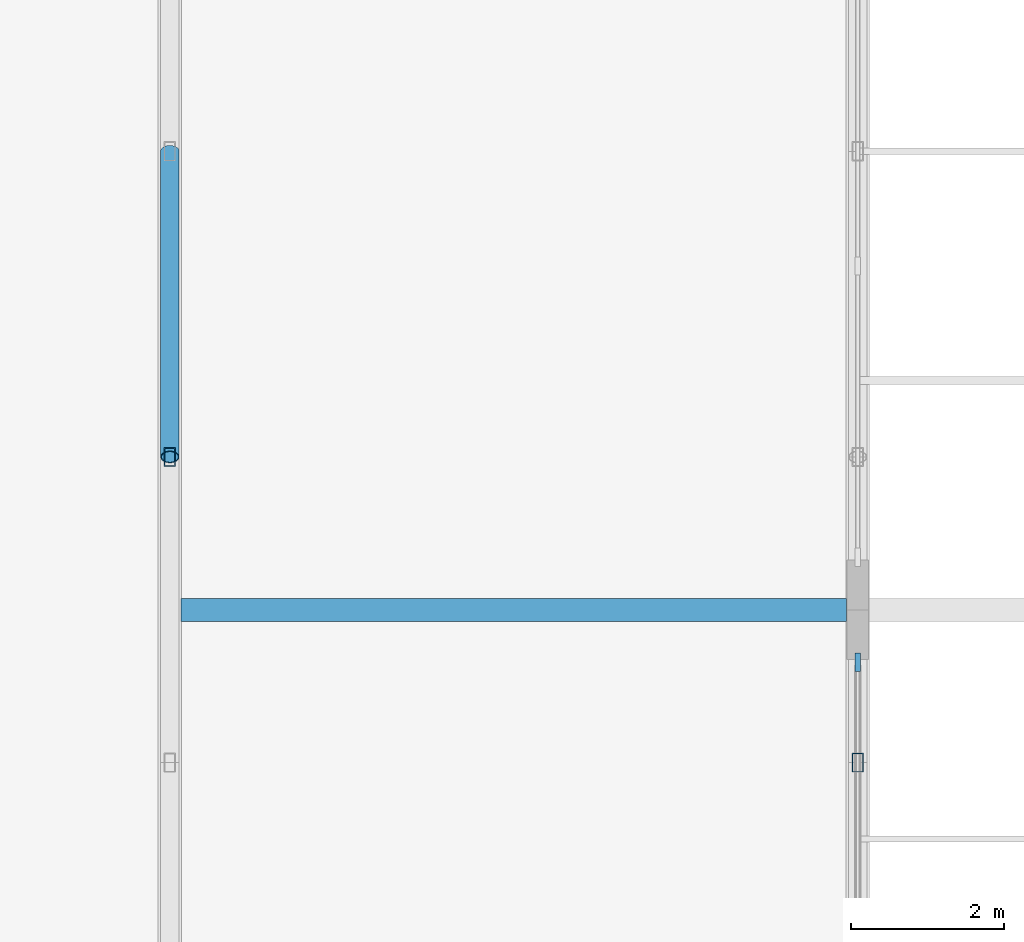
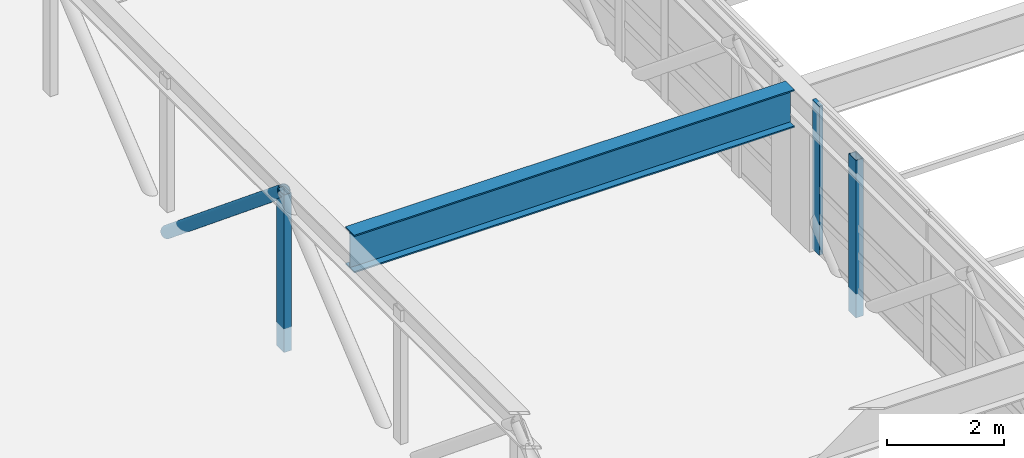
# One storey, part 45 of 91: 4 members, 1 beam, 1 element without a shape of its own.
"""IFC4 building model written with IfcOpenShell, lengths in metres."""

from ifc_helpers import new_model, si_unit, direction, frame, origin, origin_2d, place, context, subcontext, project, spatial, rectangle, hollow_rectangle, hollow_circle, i_section, extrude, material, material_profile, profile_set, type_object, element, aggregate, save


model = new_model("IFC4")

# Units and contexts
model_context = context("Model", 3, precision=1e-05, world=origin(), true_north=direction((0.0, 1.0)))
body_context = subcontext(model_context, "Body", "Model", "MODEL_VIEW")
ifc_project = project(units=[si_unit("LENGTHUNIT", "METRE"), si_unit("AREAUNIT", "SQUARE_METRE"), si_unit("VOLUMEUNIT", "CUBIC_METRE"), si_unit("PLANEANGLEUNIT", "RADIAN"), si_unit("MASSUNIT", "GRAM", prefix="KILO")], contexts=[model_context])

# Site, building, storey
site_placement = place(None, origin())
site = spatial("IfcSite", under=ifc_project, at=site_placement, CompositionType="ELEMENT")
building_placement = place(site_placement, origin())
building = spatial("IfcBuilding", under=site, at=building_placement, Name="Palais des Congres Ocreval", CompositionType="ELEMENT")
storey_placement = place(building_placement, frame((0.0, 0.0, 8.159912109375)))
storey = spatial("IfcBuildingStorey", under=building, at=storey_placement, Name="L02", CompositionType="ELEMENT", Elevation=8.159912109375)

# Curtain wall, member
ifc_material_1 = material(Name="Anodized bronze aluminium and low-E glass", Category="glass")
curtain_wall_type = type_object("IfcCurtainWallType", Name="Unitised Curtain Wall 7900x3120", PredefinedType="USERDEFINED", material=ifc_material_1)
curtain_wall_placement = place(storey_placement, origin())
curtain_wall = element("IfcCurtainWall", 1, at=curtain_wall_placement, inside=storey, type_object=curtain_wall_type, Name="Unitised Curtain Wall CW03 L02", ObjectType="UNITISED CURTAIN WALL", PredefinedType="USERDEFINED")
ifc_material_2 = material(Name="Anodized bronze aluminium", Category="aluminium")
ifc_material_profile_1 = material_profile(ifc_material_2, rectangle(XDim=0.074951171875, YDim=0.239990234375, at=origin_2d()), Name="ALU 75x240")
ifc_profile_set_1 = profile_set([ifc_material_profile_1], Name="Anodized bronze aluminium")
member_type_1 = type_object("IfcMemberType", Name="Curtain Wall Mullion ALU 75x240", PredefinedType="MULLION", material=ifc_profile_set_1)
member_1_placement = place(storey_placement, frame((126.0, 89.3125, 0.0), z_axis=(0.0, 0.0, 1.0), x_axis=(1.0, 0.0, 0.0)))
member_1 = element("IfcMember", 2, at=member_1_placement, type_object=member_type_1, Name="Curtain Wall Mullion ML01", PredefinedType="MULLION", context=body_context, shape_type="SweptSolid", body=[
    extrude(rectangle(XDim=0.074951171875, YDim=0.239990234375, at=origin_2d()), origin(), (0.0, 0.0, 1.0), 3.110107421875),
])
aggregate(curtain_wall, [member_1])

# Member
ifc_material_3 = material(Name="Steel S355", Category="steel")
ifc_material_profile_2 = material_profile(ifc_material_3, hollow_circle(Radius=0.122314453125, WallThickness=0.012451171875, at=origin_2d()), Name="CHS 244.5x12.5")
ifc_profile_set_2 = profile_set([ifc_material_profile_2], Name="Steel S355")
member_type_2 = type_object("IfcMemberType", Name="Diagonal Brace CHS 244.5x12.5 Steel S355", PredefinedType="BRACE", material=ifc_profile_set_2)
member_2_placement = place(storey_placement, frame((117.0, 92.0, 2.7900390625), z_axis=(0.0, 0.772316531173, -0.635237889044), x_axis=(-1.0, 0.0, 0.0)))
element("IfcMember", 3, at=member_2_placement, inside=storey, type_object=member_type_2, Name="Transfer Truss Web Diagonal V2-117-6", PredefinedType="BRACE", context=body_context, shape_type="SweptSolid", body=[
    extrude(hollow_circle(Radius=0.122314453125, WallThickness=0.012451171875, at=origin_2d()), origin(), (0.0, 0.0, 1.0), 5.17919921875),
])

# Beam
ifc_material_profile_3 = material_profile(ifc_material_3, i_section(OverallWidth=0.300048828125, OverallDepth=0.7900390625, WebThickness=0.014892578125, FlangeThickness=0.028076171875, at=origin_2d()), Name="HEA 800")
ifc_profile_set_3 = profile_set([ifc_material_profile_3], Name="Steel S355")
beam_type = type_object("IfcBeamType", Name="Long-Span Girder HEA 800 Steel S355", PredefinedType="BEAM", material=ifc_profile_set_3)
beam_placement = place(storey_placement, frame((117.14794921875, 90.0, 2.710205078125), z_axis=(1.0, 0.0, 0.0), x_axis=(0.0, 1.0, 0.0)))
element("IfcBeam", 4, at=beam_placement, inside=storey, type_object=beam_type, Name="Ballroom Truss Tie Girder B15", PredefinedType="BEAM", context=body_context, shape_type="SweptSolid", body=[
    extrude(i_section(OverallWidth=0.300048828125, OverallDepth=0.7900390625, WebThickness=0.014892578125, FlangeThickness=0.028076171875, at=origin_2d()), origin(), (0.0, 0.0, 1.0), 8.7041015625),
])

# Members
ifc_material_profile_4 = material_profile(ifc_material_3, hollow_rectangle(XDim=0.14990234375, YDim=0.25, WallThickness=0.012451171875, at=origin_2d()), Name="RHS 250x150x12.5")
ifc_profile_set_4 = profile_set([ifc_material_profile_4], Name="Steel S355")
member_type_3 = type_object("IfcMemberType", Name="Truss Strut RHS 250x150x12.5 Steel S355", PredefinedType="STRUT", material=ifc_profile_set_4)
for number, where, z_axis, x_axis, name in (
    (5, (117.0, 92.0, -0.5), (0.0, 0.0, 1.0), (1.0, 0.0, 0.0), "Transfer Truss Vertical Post V2-117-5"),
    (6, (126.0, 88.0, -0.5), (0.0, 0.0, 1.0), (1.0, 0.0, 0.0), "Transfer Truss Vertical Post V2-126-4"),
):
    element("IfcMember", number, at=place(storey_placement, frame(where, z_axis=z_axis, x_axis=x_axis)), inside=storey, type_object=member_type_3, Name=name, PredefinedType="STRUT", context=body_context, shape_type="SweptSolid", body=[
        extrude(hollow_rectangle(XDim=0.14990234375, YDim=0.25, WallThickness=0.012451171875, at=origin_2d()), origin(), (0.0, 0.0, 1.0), 3.2900390625),
    ])

save(model, "model.ifc")
